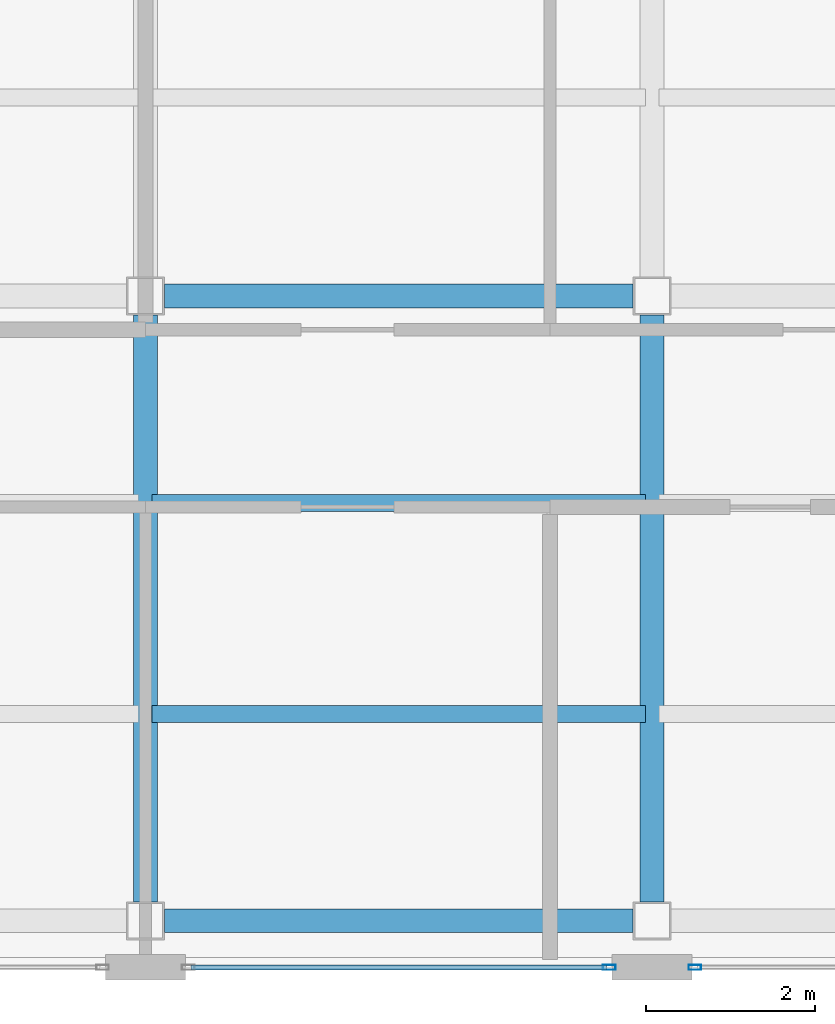
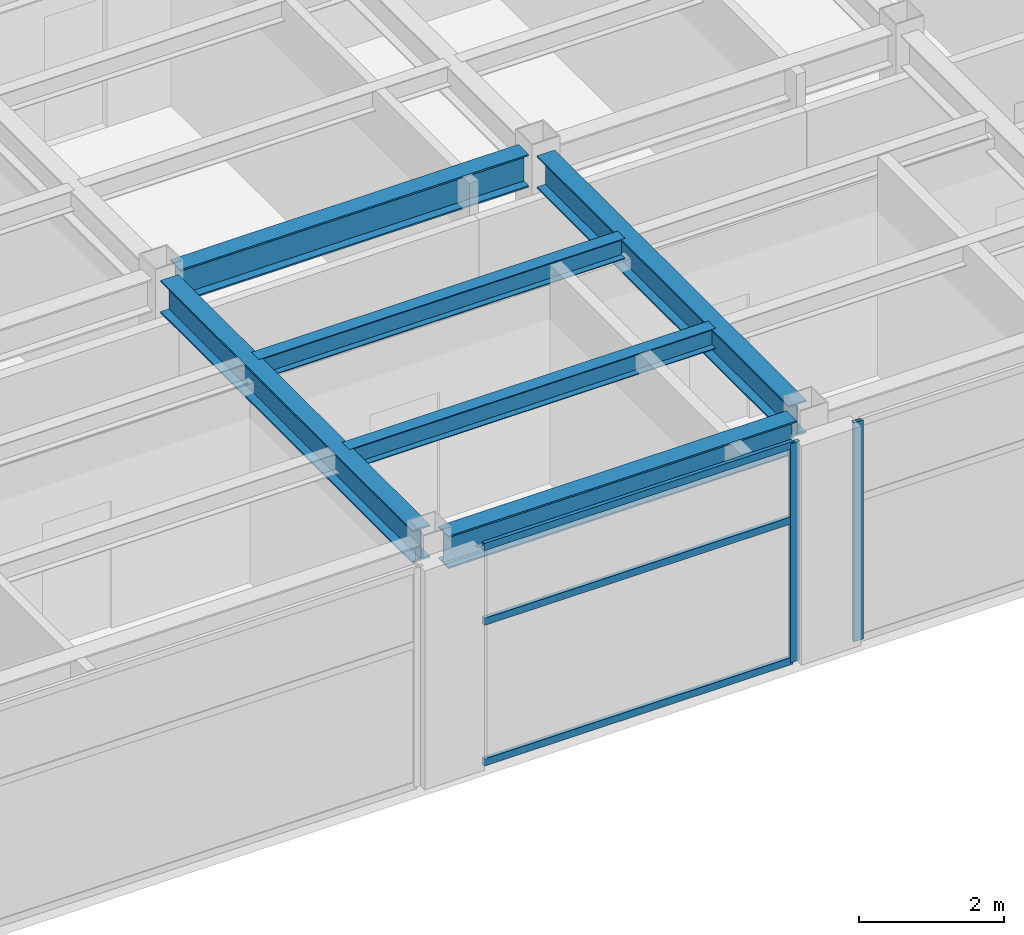
# One storey, part 5 of 15: 6 beams, 5 members, 2 elements without a shape of their own.
"""IFC4 building model written with IfcOpenShell, lengths in metres."""

from ifc_helpers import new_model, si_unit, direction, frame, origin, origin_2d, place, context, subcontext, project, spatial, hollow_rectangle, i_section, extrude, material, layer, layer_set, material_profile, profile_set, type_object, element, aggregate, save


model = new_model("IFC4")

# Units and contexts
model_context = context("Model", 3, precision=1e-05, world=origin(), true_north=direction((0.0, 1.0)))
body_context = subcontext(model_context, "Body", "Model", "MODEL_VIEW")
ifc_project = project(units=[si_unit("LENGTHUNIT", "METRE"), si_unit("AREAUNIT", "SQUARE_METRE"), si_unit("VOLUMEUNIT", "CUBIC_METRE"), si_unit("PLANEANGLEUNIT", "RADIAN"), si_unit("MASSUNIT", "GRAM", prefix="KILO")], contexts=[model_context])

# Site, building, storey
site_placement = place(None, origin())
site = spatial("IfcSite", under=ifc_project, at=site_placement, CompositionType="ELEMENT")
building_placement = place(site_placement, origin())
building = spatial("IfcBuilding", under=site, at=building_placement, Name="Mawjaban Terraces University", CompositionType="ELEMENT")
storey_placement = place(building_placement, frame((0.0, 0.0, 207.0)))
storey = spatial("IfcBuildingStorey", under=building, at=storey_placement, Name="L50", CompositionType="ELEMENT", Elevation=207.0)

# Beams
ifc_material_1 = material(Name="Steel ASTM A572 Grade 50", Category="steel")
ifc_material_profile_1 = material_profile(ifc_material_1, i_section(OverallWidth=0.281005859375, OverallDepth=0.551025390625, WebThickness=0.01513671875, FlangeThickness=0.02587890625, at=origin_2d()), Name="W530X182")
ifc_profile_set_1 = profile_set([ifc_material_profile_1], Name="Steel ASTM A572 Grade 50")
beam_type_1 = type_object("IfcBeamType", Name="Beam_B_W530X182", PredefinedType="BEAM", material=ifc_profile_set_1)
for number, where, z_axis, x_axis, name in (
    (1, (46.22509765625, 0.550048828125, 3.4150390625), (1.0, 0.0, 0.0), (0.0, 1.0, 0.0), "L50 Beam BM-L50-EW-02"),
    (2, (46.22509765625, 7.949951171875, 3.4150390625), (1.0, 0.0, 0.0), (0.0, 1.0, 0.0), "L50 Beam BM-L50-EW-05"),
):
    element("IfcBeam", number, at=place(storey_placement, frame(where, z_axis=z_axis, x_axis=x_axis)), inside=storey, type_object=beam_type_1, Name=name, PredefinedType="BEAM", context=body_context, shape_type="SweptSolid", body=[
        extrude(i_section(OverallWidth=0.281005859375, OverallDepth=0.551025390625, WebThickness=0.01513671875, FlangeThickness=0.02587890625, at=origin_2d()), origin(), (0.0, 0.0, 1.0), 5.5498046875),
    ])
for number, where, z_axis, x_axis, name in (
    (3, (46.0, 0.77490234375, 3.4150390625), (0.0, 1.0, 0.0), (-1.0, 0.0, 0.0), "L50 Beam BM-L50-NS-10"),
    (4, (52.0, 0.77490234375, 3.4150390625), (0.0, 1.0, 0.0), (-1.0, 0.0, 0.0), "L50 Beam BM-L50-NS-12"),
):
    element("IfcBeam", number, at=place(storey_placement, frame(where, z_axis=z_axis, x_axis=x_axis)), inside=storey, type_object=beam_type_1, Name=name, PredefinedType="BEAM", context=body_context, shape_type="SweptSolid", body=[
        extrude(i_section(OverallWidth=0.281005859375, OverallDepth=0.551025390625, WebThickness=0.01513671875, FlangeThickness=0.02587890625, at=origin_2d()), origin(), (0.0, 0.0, 1.0), 6.9501953125),
    ])
ifc_material_profile_2 = material_profile(ifc_material_1, i_section(OverallWidth=0.202880859375, OverallDepth=0.346923828125, WebThickness=0.0078125, FlangeThickness=0.013427734375, at=origin_2d()), Name="W360X64")
ifc_profile_set_2 = profile_set([ifc_material_profile_2], Name="Steel ASTM A572 Grade 50")
beam_type_2 = type_object("IfcBeamType", Name="Beam_J_W360X64", PredefinedType="JOIST", material=ifc_profile_set_2)
for number, where, z_axis, x_axis, name in (
    (5, (46.080078125, 3.0, 3.51708984375), (1.0, 0.0, 0.0), (0.0, 1.0, 0.0), "L50 Composite Joist JST-L50-02"),
    (6, (46.080078125, 5.5, 3.51708984375), (1.0, 0.0, 0.0), (0.0, 1.0, 0.0), "L50 Composite Joist JST-L50-05"),
):
    element("IfcBeam", number, at=place(storey_placement, frame(where, z_axis=z_axis, x_axis=x_axis)), inside=storey, type_object=beam_type_2, Name=name, PredefinedType="JOIST", context=body_context, shape_type="SweptSolid", body=[
        extrude(i_section(OverallWidth=0.202880859375, OverallDepth=0.346923828125, WebThickness=0.0078125, FlangeThickness=0.013427734375, at=origin_2d()), origin(), (0.0, 0.0, 1.0), 5.83984375),
    ])

# Curtain wall, member
ifc_material_2 = material(Name="Anodised aluminium 6063-T6 and solar-control low-E glass", Category="aluminium")
ifc_layer = layer(ifc_material_2, 0.159912109375)
ifc_layer_set = layer_set([ifc_layer], Name="Anodised aluminium 6063-T6 and solar-control low-E glass")
curtain_wall_type = type_object("IfcCurtainWallType", Name="CWSystem_03_NorthWing", PredefinedType="NOTDEFINED", material=ifc_layer_set)
curtain_wall_1_placement = place(storey_placement, origin())
curtain_wall_1 = element("IfcCurtainWall", 7, at=curtain_wall_1_placement, inside=storey, type_object=curtain_wall_type, Name="L50 Curtain Wall CW-03 Run 1.3", PredefinedType="NOTDEFINED")
ifc_material_3 = material(Name="Anodised aluminium 6063-T6", Category="aluminium")
ifc_material_profile_3 = material_profile(ifc_material_3, hollow_rectangle(XDim=0.06005859375, YDim=0.14990234375, WallThickness=0.00390625, at=origin_2d()), Name="ALU150X60X4")
ifc_profile_set_3 = profile_set([ifc_material_profile_3], Name="Anodised aluminium 6063-T6")
member_type_1 = type_object("IfcMemberType", Name="Mullion_CW-03", PredefinedType="MULLION", material=ifc_profile_set_3)
member_1_placement = place(storey_placement, frame((51.492431640625, 0.0, 0.0), z_axis=(0.0, 0.0, 1.0), x_axis=(0.0, 1.0, 0.0)))
member_1 = element("IfcMember", 8, at=member_1_placement, type_object=member_type_1, Name="CW-03 mullion 2", PredefinedType="MULLION", context=body_context, shape_type="SweptSolid", body=[
    extrude(hollow_rectangle(XDim=0.06005859375, YDim=0.14990234375, WallThickness=0.00390625, at=origin_2d()), origin(), (0.0, 0.0, 1.0), 3.68994140625),
])

curtain_wall_2_placement = place(storey_placement, origin())
curtain_wall_2 = element("IfcCurtainWall", 9, at=curtain_wall_2_placement, inside=storey, type_object=curtain_wall_type, Name="L50 Curtain Wall CW-03 Run 1.4", PredefinedType="NOTDEFINED")
member_2_placement = place(storey_placement, frame((52.507568359375, 0.0, 0.0), z_axis=(0.0, 0.0, 1.0), x_axis=(0.0, 1.0, 0.0)))
member_2 = element("IfcMember", 10, at=member_2_placement, type_object=member_type_1, Name="CW-03 mullion 1", PredefinedType="MULLION", context=body_context, shape_type="SweptSolid", body=[
    extrude(hollow_rectangle(XDim=0.06005859375, YDim=0.14990234375, WallThickness=0.00390625, at=origin_2d()), origin(), (0.0, 0.0, 1.0), 3.68994140625),
])
aggregate(curtain_wall_2, [member_2])

# Member
ifc_material_profile_4 = material_profile(ifc_material_3, hollow_rectangle(XDim=0.06005859375, YDim=0.1201171875, WallThickness=0.00341796875, at=origin_2d()), Name="ALU120X60X3.5")
ifc_profile_set_4 = profile_set([ifc_material_profile_4], Name="Anodised aluminium 6063-T6")
member_type_2 = type_object("IfcMemberType", Name="Transom_CW-03", PredefinedType="NOTDEFINED", material=ifc_profile_set_4)
member_3_placement = place(storey_placement, frame((46.5400390625, 0.0, 0.030029296875), z_axis=(1.0, 0.0, 0.0), x_axis=(0.0, 1.0, 0.0)))
member_3 = element("IfcMember", 11, at=member_3_placement, type_object=member_type_2, Name="CW-03 transom 1.1", ObjectType="TRANSOM", PredefinedType="USERDEFINED", context=body_context, shape_type="SweptSolid", body=[
    extrude(hollow_rectangle(XDim=0.06005859375, YDim=0.1201171875, WallThickness=0.00341796875, at=origin_2d()), origin(), (0.0, 0.0, 1.0), 4.919921875),
])

member_4_placement = place(storey_placement, frame((46.5400390625, 0.0, 2.39892578125), z_axis=(1.0, 0.0, 0.0), x_axis=(0.0, 1.0, 0.0)))
member_4 = element("IfcMember", 12, at=member_4_placement, type_object=member_type_2, Name="CW-03 transom 1.2", ObjectType="TRANSOM", PredefinedType="USERDEFINED", context=body_context, shape_type="SweptSolid", body=[
    extrude(hollow_rectangle(XDim=0.06005859375, YDim=0.1201171875, WallThickness=0.00341796875, at=origin_2d()), origin(), (0.0, 0.0, 1.0), 4.919921875),
])

member_5_placement = place(storey_placement, frame((46.5400390625, 0.0, 3.659912109375), z_axis=(1.0, 0.0, 0.0), x_axis=(0.0, 1.0, 0.0)))
member_5 = element("IfcMember", 13, at=member_5_placement, type_object=member_type_2, Name="CW-03 transom 1.3", ObjectType="TRANSOM", PredefinedType="USERDEFINED", context=body_context, shape_type="SweptSolid", body=[
    extrude(hollow_rectangle(XDim=0.06005859375, YDim=0.1201171875, WallThickness=0.00341796875, at=origin_2d()), origin(), (0.0, 0.0, 1.0), 4.919921875),
])

aggregate(curtain_wall_1, [member_1, member_3, member_4, member_5])

save(model, "model.ifc")
